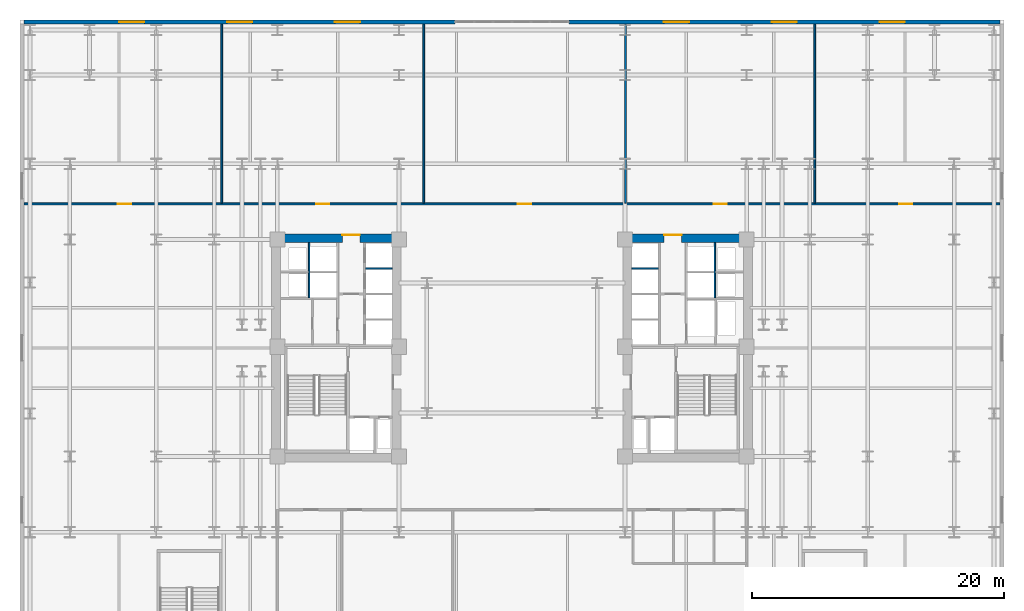
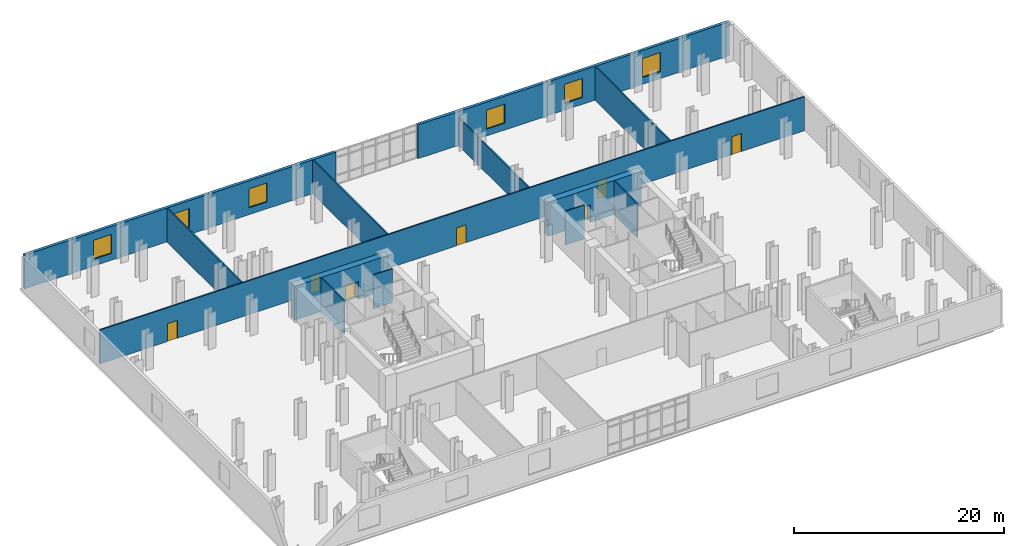
# One storey, part 10 of 13: 13 walls, 7 doors, 6 windows, 13 openings.
"""IFC4 building model written with IfcOpenShell, lengths in metres."""

from ifc_helpers import new_model, si_unit, direction, frame, frame_2d, origin, place, context, subcontext, project, spatial, rectangle, extrude, material, layer, layer_set, type_object, element, fill, save


model = new_model("IFC4")

# Units and contexts
model_context = context("Model", 3, precision=1e-05, world=origin(), true_north=direction((0.0, 1.0)))
body_context = subcontext(model_context, "Body", "Model", "MODEL_VIEW")
ifc_project = project(units=[si_unit("LENGTHUNIT", "METRE"), si_unit("AREAUNIT", "SQUARE_METRE"), si_unit("VOLUMEUNIT", "CUBIC_METRE"), si_unit("PLANEANGLEUNIT", "RADIAN"), si_unit("MASSUNIT", "GRAM", prefix="KILO")], contexts=[model_context])

# Site, building, storey
site_placement = place(None, origin())
site = spatial("IfcSite", under=ifc_project, at=site_placement, CompositionType="ELEMENT")
building_placement = place(site_placement, origin())
building = spatial("IfcBuilding", under=site, at=building_placement, Name="Velakula Bourse", CompositionType="ELEMENT")
storey_placement = place(building_placement, frame((0.0, 0.0, 18.60009765625)))
storey = spatial("IfcBuildingStorey", under=building, at=storey_placement, Name="L04", CompositionType="ELEMENT", Elevation=18.60009765625)

# Wall, opening, door
ifc_material_1 = material(Name="Concrete M70 (fck 70 MPa)", Category="concrete")
ifc_layer_1 = layer(ifc_material_1, 0.699951171875, Name="Concrete M70 (fck 70 MPa)", Category="concrete")
ifc_layer_set_1 = layer_set([ifc_layer_1], Name="Concrete M70 (fck 70 MPa)")
wall_type_1 = type_object("IfcWallType", Name="WL-CORE-700", PredefinedType="SHEAR", material=ifc_layer_set_1)
wall_1_placement = place(storey_placement, frame((-19.050048828125, 8.699951171875, 0.0), z_axis=(0.0, 0.0, 1.0), x_axis=(1.0, 0.0, 0.0)))
wall_1 = element("IfcWall", 1, at=wall_1_placement, inside=storey, type_object=wall_type_1, Name="L04 Core W Shear Wall N", PredefinedType="SHEAR", context=body_context, shape_type="SweptSolid", body=[
    extrude(rectangle(XDim=10.25, YDim=0.699951171875, at=frame_2d((5.125, 0.0))), origin(), (0.0, 0.0, 1.0), 3.949951171875),
])
opening_1_placement = place(wall_1_placement, frame((5.60009765625, 0.0, 0.0)))
opening_1 = element("IfcOpeningElement", 2, at=opening_1_placement, cuts=wall_1, Name="Opening D-LLW", PredefinedType="OPENING", context=body_context, shape_type="SweptSolid", body=[
    extrude(rectangle(XDim=1.39990234375, YDim=2.050048828125, at=frame_2d((0.699951171875, 1.02490234375))), frame((0.0, 0.35986328125, 0.0), z_axis=(0.0, -1.0, 0.0), x_axis=(1.0, 0.0, 0.0)), (0.0, 0.0, 1.0), 0.719970703125),
])
ifc_material_2 = material(Name="Fire-rated hardwood flush architectural door", Category="wood")
door_type_1 = type_object("IfcDoorType", Name="DR-DBL-FD60-1400", OperationType="DOUBLE_DOOR_SINGLE_SWING", PredefinedType="DOOR", material=ifc_material_2)
door_1_placement = place(opening_1_placement, origin())
door_1 = element("IfcDoor", 3, at=door_1_placement, inside=storey, type_object=door_type_1, Name="L04 Core W Lift Lobby Corridor Double Door", OperationType="DOUBLE_DOOR_SINGLE_SWING", OverallHeight=2.050048828125, OverallWidth=1.39990234375, PredefinedType="DOOR", context=body_context, shape_type="SweptSolid", body=[
    extrude(rectangle(XDim=1.39990234375, YDim=2.050048828125, at=frame_2d((0.699951171875, 1.02490234375))), frame((0.0, 0.294921875, 0.0), z_axis=(0.0, -1.0, 0.0), x_axis=(1.0, 0.0, 0.0)), (0.0, 0.0, 1.0), 0.050048828125),
])
fill(opening_1, door_1)

wall_2_placement = place(storey_placement, frame((8.800048828125, 8.699951171875, 0.0), z_axis=(0.0, 0.0, 1.0), x_axis=(1.0, 0.0, 0.0)))
wall_2 = element("IfcWall", 4, at=wall_2_placement, inside=storey, type_object=wall_type_1, Name="L04 Core E Shear Wall N", PredefinedType="SHEAR", context=body_context, shape_type="SweptSolid", body=[
    extrude(rectangle(XDim=10.25, YDim=0.699951171875, at=frame_2d((5.125, 0.0))), origin(), (0.0, 0.0, 1.0), 3.949951171875),
])
opening_2_placement = place(wall_2_placement, frame((3.25, 0.0, 0.0)))
opening_2 = element("IfcOpeningElement", 5, at=opening_2_placement, cuts=wall_2, Name="Opening D-LLE", PredefinedType="OPENING", context=body_context, shape_type="SweptSolid", body=[
    extrude(rectangle(XDim=1.39990234375, YDim=2.050048828125, at=frame_2d((0.699951171875, 1.02490234375))), frame((0.0, 0.35986328125, 0.0), z_axis=(0.0, -1.0, 0.0), x_axis=(1.0, 0.0, 0.0)), (0.0, 0.0, 1.0), 0.719970703125),
])
door_2_placement = place(opening_2_placement, origin())
door_2 = element("IfcDoor", 6, at=door_2_placement, inside=storey, type_object=door_type_1, Name="L04 Core E Lift Lobby Corridor Double Door", OperationType="DOUBLE_DOOR_SINGLE_SWING", OverallHeight=2.050048828125, OverallWidth=1.39990234375, PredefinedType="DOOR", context=body_context, shape_type="SweptSolid", body=[
    extrude(rectangle(XDim=1.39990234375, YDim=2.050048828125, at=frame_2d((0.699951171875, 1.02490234375))), frame((0.0, 0.294921875, 0.0), z_axis=(0.0, -1.0, 0.0), x_axis=(1.0, 0.0, 0.0)), (0.0, 0.0, 1.0), 0.050048828125),
])
fill(opening_2, door_2)

# Wall, openings, windows
ifc_material_3 = material(Name="Red kilned clay facing brick masonry", Category="masonry")
ifc_layer_2 = layer(ifc_material_3, 0.320068359375, Name="Red kilned clay facing brick masonry", Category="masonry")
ifc_layer_set_2 = layer_set([ifc_layer_2], Name="Red kilned clay facing brick masonry")
wall_type_2 = type_object("IfcWallType", Name="WL-EXT-BRK-320", PredefinedType="STANDARD", material=ifc_layer_set_2)
wall_3_placement = place(storey_placement, frame((-38.679931640625, 25.840087890625, 0.0), z_axis=(0.0, 0.0, 1.0), x_axis=(1.0, 0.0, 0.0)))
wall_3 = element("IfcWall", 7, at=wall_3_placement, inside=storey, type_object=wall_type_2, Name="L04 North Brick Facade Wall 1", PredefinedType="STANDARD", context=body_context, shape_type="SweptSolid", body=[
    extrude(rectangle(XDim=34.179931640625, YDim=0.320068359375, at=frame_2d((17.08984375, 0.0))), origin(), (0.0, 0.0, 1.0), 3.929931640625),
])
opening_3_placement = place(wall_3_placement, frame((7.544921875, 0.0, 0.800048828125)))
opening_3 = element("IfcOpeningElement", 8, at=opening_3_placement, cuts=wall_3, Name="Opening W-07", PredefinedType="OPENING", context=body_context, shape_type="SweptSolid", body=[
    extrude(rectangle(XDim=2.0, YDim=2.199951171875, at=frame_2d((1.0, 1.10009765625))), frame((0.0, 0.169921875, 0.0), z_axis=(0.0, -1.0, 0.0), x_axis=(1.0, 0.0, 0.0)), (0.0, 0.0, 1.0), 0.340087890625),
])
opening_4_placement = place(wall_3_placement, frame((16.090087890625, 0.0, 0.800048828125)))
opening_4 = element("IfcOpeningElement", 9, at=opening_4_placement, cuts=wall_3, Name="Opening W-07", PredefinedType="OPENING", context=body_context, shape_type="SweptSolid", body=[
    extrude(rectangle(XDim=2.0, YDim=2.199951171875, at=frame_2d((1.0, 1.10009765625))), frame((0.0, 0.169921875, 0.0), z_axis=(0.0, -1.0, 0.0), x_axis=(1.0, 0.0, 0.0)), (0.0, 0.0, 1.0), 0.340087890625),
])
opening_5_placement = place(wall_3_placement, frame((24.635009765625, 0.0, 0.800048828125)))
opening_5 = element("IfcOpeningElement", 10, at=opening_5_placement, cuts=wall_3, Name="Opening W-07", PredefinedType="OPENING", context=body_context, shape_type="SweptSolid", body=[
    extrude(rectangle(XDim=2.0, YDim=2.199951171875, at=frame_2d((1.0, 1.10009765625))), frame((0.0, 0.169921875, 0.0), z_axis=(0.0, -1.0, 0.0), x_axis=(1.0, 0.0, 0.0)), (0.0, 0.0, 1.0), 0.340087890625),
])
ifc_material_4 = material(Name="Double-glazed solar-control Low-E glass", Category="glass")
window_type = type_object("IfcWindowType", Name="WIN-POD-2000x2400", PartitioningType="DOUBLE_PANEL_VERTICAL", PredefinedType="WINDOW", material=ifc_material_4)
window_1_placement = place(opening_3_placement, origin())
window_1 = element("IfcWindow", 11, at=window_1_placement, inside=storey, type_object=window_type, Name="L04 Deep-Set Recessed Window 1", OverallHeight=2.199951171875, OverallWidth=2.0, PartitioningType="DOUBLE_PANEL_VERTICAL", PredefinedType="WINDOW", context=body_context, shape_type="SweptSolid", body=[
    extrude(rectangle(XDim=2.0, YDim=2.199951171875, at=frame_2d((1.0, 1.10009765625))), frame((0.0, 0.030029296875, 0.0), z_axis=(0.0, -1.0, 0.0), x_axis=(1.0, 0.0, 0.0)), (0.0, 0.0, 1.0), 0.06005859375),
])
fill(opening_3, window_1)
window_2_placement = place(opening_4_placement, origin())
window_2 = element("IfcWindow", 12, at=window_2_placement, inside=storey, type_object=window_type, Name="L04 Deep-Set Recessed Window 2", OverallHeight=2.199951171875, OverallWidth=2.0, PartitioningType="DOUBLE_PANEL_VERTICAL", PredefinedType="WINDOW", context=body_context, shape_type="SweptSolid", body=[
    extrude(rectangle(XDim=2.0, YDim=2.199951171875, at=frame_2d((1.0, 1.10009765625))), frame((0.0, 0.030029296875, 0.0), z_axis=(0.0, -1.0, 0.0), x_axis=(1.0, 0.0, 0.0)), (0.0, 0.0, 1.0), 0.06005859375),
])
fill(opening_4, window_2)
window_3_placement = place(opening_5_placement, origin())
window_3 = element("IfcWindow", 13, at=window_3_placement, inside=storey, type_object=window_type, Name="L04 Deep-Set Recessed Window 3", OverallHeight=2.199951171875, OverallWidth=2.0, PartitioningType="DOUBLE_PANEL_VERTICAL", PredefinedType="WINDOW", context=body_context, shape_type="SweptSolid", body=[
    extrude(rectangle(XDim=2.0, YDim=2.199951171875, at=frame_2d((1.0, 1.10009765625))), frame((0.0, 0.030029296875, 0.0), z_axis=(0.0, -1.0, 0.0), x_axis=(1.0, 0.0, 0.0)), (0.0, 0.0, 1.0), 0.06005859375),
])
fill(opening_5, window_3)

wall_4_placement = place(storey_placement, frame((4.5, 25.840087890625, 0.0), z_axis=(0.0, 0.0, 1.0), x_axis=(1.0, 0.0, 0.0)))
wall_4 = element("IfcWall", 14, at=wall_4_placement, inside=storey, type_object=wall_type_2, Name="L04 North Brick Facade Wall 3", PredefinedType="STANDARD", context=body_context, shape_type="SweptSolid", body=[
    extrude(rectangle(XDim=34.179931640625, YDim=0.320068359375, at=frame_2d((17.08984375, 0.0))), origin(), (0.0, 0.0, 1.0), 3.929931640625),
])
opening_6_placement = place(wall_4_placement, frame((7.544921875, 0.0, 0.800048828125)))
opening_6 = element("IfcOpeningElement", 15, at=opening_6_placement, cuts=wall_4, Name="Opening W-07", PredefinedType="OPENING", context=body_context, shape_type="SweptSolid", body=[
    extrude(rectangle(XDim=2.0, YDim=2.199951171875, at=frame_2d((1.0, 1.10009765625))), frame((0.0, 0.169921875, 0.0), z_axis=(0.0, -1.0, 0.0), x_axis=(1.0, 0.0, 0.0)), (0.0, 0.0, 1.0), 0.340087890625),
])
opening_7_placement = place(wall_4_placement, frame((16.090087890625, 0.0, 0.800048828125)))
opening_7 = element("IfcOpeningElement", 16, at=opening_7_placement, cuts=wall_4, Name="Opening W-07", PredefinedType="OPENING", context=body_context, shape_type="SweptSolid", body=[
    extrude(rectangle(XDim=2.0, YDim=2.199951171875, at=frame_2d((1.0, 1.10009765625))), frame((0.0, 0.169921875, 0.0), z_axis=(0.0, -1.0, 0.0), x_axis=(1.0, 0.0, 0.0)), (0.0, 0.0, 1.0), 0.340087890625),
])
opening_8_placement = place(wall_4_placement, frame((24.635009765625, 0.0, 0.800048828125)))
opening_8 = element("IfcOpeningElement", 17, at=opening_8_placement, cuts=wall_4, Name="Opening W-07", PredefinedType="OPENING", context=body_context, shape_type="SweptSolid", body=[
    extrude(rectangle(XDim=2.0, YDim=2.199951171875, at=frame_2d((1.0, 1.10009765625))), frame((0.0, 0.169921875, 0.0), z_axis=(0.0, -1.0, 0.0), x_axis=(1.0, 0.0, 0.0)), (0.0, 0.0, 1.0), 0.340087890625),
])
window_4_placement = place(opening_6_placement, origin())
window_4 = element("IfcWindow", 18, at=window_4_placement, inside=storey, type_object=window_type, Name="L04 Deep-Set Recessed Window 1", OverallHeight=2.199951171875, OverallWidth=2.0, PartitioningType="DOUBLE_PANEL_VERTICAL", PredefinedType="WINDOW", context=body_context, shape_type="SweptSolid", body=[
    extrude(rectangle(XDim=2.0, YDim=2.199951171875, at=frame_2d((1.0, 1.10009765625))), frame((0.0, 0.030029296875, 0.0), z_axis=(0.0, -1.0, 0.0), x_axis=(1.0, 0.0, 0.0)), (0.0, 0.0, 1.0), 0.06005859375),
])
fill(opening_6, window_4)
window_5_placement = place(opening_7_placement, origin())
window_5 = element("IfcWindow", 19, at=window_5_placement, inside=storey, type_object=window_type, Name="L04 Deep-Set Recessed Window 2", OverallHeight=2.199951171875, OverallWidth=2.0, PartitioningType="DOUBLE_PANEL_VERTICAL", PredefinedType="WINDOW", context=body_context, shape_type="SweptSolid", body=[
    extrude(rectangle(XDim=2.0, YDim=2.199951171875, at=frame_2d((1.0, 1.10009765625))), frame((0.0, 0.030029296875, 0.0), z_axis=(0.0, -1.0, 0.0), x_axis=(1.0, 0.0, 0.0)), (0.0, 0.0, 1.0), 0.06005859375),
])
fill(opening_7, window_5)
window_6_placement = place(opening_8_placement, origin())
window_6 = element("IfcWindow", 20, at=window_6_placement, inside=storey, type_object=window_type, Name="L04 Deep-Set Recessed Window 3", OverallHeight=2.199951171875, OverallWidth=2.0, PartitioningType="DOUBLE_PANEL_VERTICAL", PredefinedType="WINDOW", context=body_context, shape_type="SweptSolid", body=[
    extrude(rectangle(XDim=2.0, YDim=2.199951171875, at=frame_2d((1.0, 1.10009765625))), frame((0.0, 0.030029296875, 0.0), z_axis=(0.0, -1.0, 0.0), x_axis=(1.0, 0.0, 0.0)), (0.0, 0.0, 1.0), 0.06005859375),
])
fill(opening_8, window_6)

# Walls
ifc_material_5 = material(Name="Fire-rated double-layer gypsum drywall partition", Category="gypsum")
ifc_layer_3 = layer(ifc_material_5, 0.1201171875, Name="Fire-rated double-layer gypsum drywall partition", Category="gypsum")
ifc_layer_set_3 = layer_set([ifc_layer_3], Name="Fire-rated double-layer gypsum drywall partition")
wall_type_3 = type_object("IfcWallType", Name="WL-PART-120", PredefinedType="STANDARD", material=ifc_layer_set_3)
wall_5_placement = place(storey_placement, frame((-11.60009765625, 6.31494140625, 0.0), z_axis=(0.0, 0.0, 1.0), x_axis=(1.0, 0.0, 0.0)))
element("IfcWall", 21, at=wall_5_placement, inside=storey, type_object=wall_type_3, Name="L04 Interior Partition WL-CRW-L04-BDIV-2", PredefinedType="STANDARD", context=body_context, shape_type="SweptSolid", body=[
    extrude(rectangle(XDim=2.10009765625, YDim=0.110107421875, at=frame_2d((1.050048828125, 0.0))), origin(), (0.0, 0.0, 1.0), 3.929931640625),
])
wall_6_placement = place(storey_placement, frame((-16.074951171875, 3.97998046875, 0.0), z_axis=(0.0, 0.0, 1.0), x_axis=(0.0, 1.0, 0.0)))
element("IfcWall", 22, at=wall_6_placement, inside=storey, type_object=wall_type_3, Name="L04 Interior Partition WL-CRW-L04-RIS-F", PredefinedType="STANDARD", context=body_context, shape_type="SweptSolid", body=[
    extrude(rectangle(XDim=4.3701171875, YDim=0.1201171875, at=frame_2d((2.18505859375, 0.0))), origin(), (0.0, 0.0, 1.0), 3.929931640625),
])
wall_7_placement = place(storey_placement, frame((9.5, 6.31494140625, 0.0), z_axis=(0.0, 0.0, 1.0), x_axis=(1.0, 0.0, 0.0)))
element("IfcWall", 23, at=wall_7_placement, inside=storey, type_object=wall_type_3, Name="L04 Interior Partition WL-CRE-L04-BDIV-2", PredefinedType="STANDARD", context=body_context, shape_type="SweptSolid", body=[
    extrude(rectangle(XDim=2.10009765625, YDim=0.110107421875, at=frame_2d((1.050048828125, 0.0))), origin(), (0.0, 0.0, 1.0), 3.929931640625),
])
wall_8_placement = place(storey_placement, frame((16.074951171875, 3.97998046875, 0.0), z_axis=(0.0, 0.0, 1.0), x_axis=(0.0, 1.0, 0.0)))
element("IfcWall", 24, at=wall_8_placement, inside=storey, type_object=wall_type_3, Name="L04 Interior Partition WL-CRE-L04-RIS-F", PredefinedType="STANDARD", context=body_context, shape_type="SweptSolid", body=[
    extrude(rectangle(XDim=4.3701171875, YDim=0.1201171875, at=frame_2d((2.18505859375, 0.0))), origin(), (0.0, 0.0, 1.0), 3.929931640625),
])

# Wall, openings, doors
ifc_layer_4 = layer(ifc_material_5, 0.139892578125, Name="Fire-rated double-layer gypsum drywall partition", Category="gypsum")
ifc_layer_set_4 = layer_set([ifc_layer_4], Name="Fire-rated double-layer gypsum drywall partition")
wall_type_4 = type_object("IfcWallType", Name="WL-PART-140", PredefinedType="STANDARD", material=ifc_layer_set_4)
wall_9_placement = place(storey_placement, frame((-38.679931640625, 11.419921875, 0.0), z_axis=(0.0, 0.0, 1.0), x_axis=(1.0, 0.0, 0.0)))
wall_9 = element("IfcWall", 25, at=wall_9_placement, inside=storey, type_object=wall_type_4, Name="L04 Interior Partition WL-POD-L04-N-CORR", PredefinedType="STANDARD", context=body_context, shape_type="SweptSolid", body=[
    extrude(rectangle(XDim=77.35986328125, YDim=0.14990234375, at=frame_2d((38.679931640625, 0.0))), origin(), (0.0, 0.0, 1.0), 3.929931640625),
])
opening_9_placement = place(wall_9_placement, frame((7.43603515625, 0.0, 0.0)))
opening_9 = element("IfcOpeningElement", 26, at=opening_9_placement, cuts=wall_9, Name="Opening D-PD1", PredefinedType="OPENING", context=body_context, shape_type="SweptSolid", body=[
    extrude(rectangle(XDim=1.050048828125, YDim=2.080078125, at=frame_2d((0.52490234375, 1.0400390625))), frame((0.0, 0.0849609375, 0.0), z_axis=(0.0, -1.0, 0.0), x_axis=(1.0, 0.0, 0.0)), (0.0, 0.0, 1.0), 0.169921875),
])
opening_10_placement = place(wall_9_placement, frame((23.155029296875, 0.0, 0.0)))
opening_10 = element("IfcOpeningElement", 27, at=opening_10_placement, cuts=wall_9, Name="Opening D-PD1", PredefinedType="OPENING", context=body_context, shape_type="SweptSolid", body=[
    extrude(rectangle(XDim=1.050048828125, YDim=2.080078125, at=frame_2d((0.52490234375, 1.0400390625))), frame((0.0, 0.0849609375, 0.0), z_axis=(0.0, -1.0, 0.0), x_axis=(1.0, 0.0, 0.0)), (0.0, 0.0, 1.0), 0.169921875),
])
opening_11_placement = place(wall_9_placement, frame((39.155029296875, 0.0, 0.0)))
opening_11 = element("IfcOpeningElement", 28, at=opening_11_placement, cuts=wall_9, Name="Opening D-PD1", PredefinedType="OPENING", context=body_context, shape_type="SweptSolid", body=[
    extrude(rectangle(XDim=1.050048828125, YDim=2.080078125, at=frame_2d((0.52490234375, 1.0400390625))), frame((0.0, 0.0849609375, 0.0), z_axis=(0.0, -1.0, 0.0), x_axis=(1.0, 0.0, 0.0)), (0.0, 0.0, 1.0), 0.169921875),
])
opening_12_placement = place(wall_9_placement, frame((54.655029296875, 0.0, 0.0)))
opening_12 = element("IfcOpeningElement", 29, at=opening_12_placement, cuts=wall_9, Name="Opening D-PD1", PredefinedType="OPENING", context=body_context, shape_type="SweptSolid", body=[
    extrude(rectangle(XDim=1.050048828125, YDim=2.080078125, at=frame_2d((0.52490234375, 1.0400390625))), frame((0.0, 0.0849609375, 0.0), z_axis=(0.0, -1.0, 0.0), x_axis=(1.0, 0.0, 0.0)), (0.0, 0.0, 1.0), 0.169921875),
])
opening_13_placement = place(wall_9_placement, frame((69.3740234375, 0.0, 0.0)))
opening_13 = element("IfcOpeningElement", 30, at=opening_13_placement, cuts=wall_9, Name="Opening D-PD1", PredefinedType="OPENING", context=body_context, shape_type="SweptSolid", body=[
    extrude(rectangle(XDim=1.050048828125, YDim=2.080078125, at=frame_2d((0.52490234375, 1.0400390625))), frame((0.0, 0.0849609375, 0.0), z_axis=(0.0, -1.0, 0.0), x_axis=(1.0, 0.0, 0.0)), (0.0, 0.0, 1.0), 0.169921875),
])
door_type_2 = type_object("IfcDoorType", Name="DR-OFF-1050", OperationType="NOTDEFINED", PredefinedType="DOOR", material=ifc_material_2)
door_3_placement = place(opening_9_placement, origin())
door_3 = element("IfcDoor", 31, at=door_3_placement, inside=storey, type_object=door_type_2, Name="L04 Clearing Settlement Conference Room A Door", OperationType="SINGLE_SWING_LEFT", OverallHeight=2.080078125, OverallWidth=1.050048828125, PredefinedType="DOOR", context=body_context, shape_type="SweptSolid", body=[
    extrude(rectangle(XDim=1.050048828125, YDim=2.080078125, at=frame_2d((0.52490234375, 1.0400390625))), frame((0.0, 0.02490234375, 0.0), z_axis=(0.0, -1.0, 0.0), x_axis=(1.0, 0.0, 0.0)), (0.0, 0.0, 1.0), 0.050048828125),
])
fill(opening_9, door_3)
door_4_placement = place(opening_10_placement, origin())
door_4 = element("IfcDoor", 32, at=door_4_placement, inside=storey, type_object=door_type_2, Name="L04 Clearing Conference Room B Door", OperationType="SINGLE_SWING_RIGHT", OverallHeight=2.080078125, OverallWidth=1.050048828125, PredefinedType="DOOR", context=body_context, shape_type="SweptSolid", body=[
    extrude(rectangle(XDim=1.050048828125, YDim=2.080078125, at=frame_2d((0.52490234375, 1.0400390625))), frame((0.0, 0.02490234375, 0.0), z_axis=(0.0, -1.0, 0.0), x_axis=(1.0, 0.0, 0.0)), (0.0, 0.0, 1.0), 0.050048828125),
])
fill(opening_10, door_4)
door_5_placement = place(opening_11_placement, origin())
door_5 = element("IfcDoor", 33, at=door_5_placement, inside=storey, type_object=door_type_2, Name="L04 Executive Boardroom C Door", OperationType="SINGLE_SWING_LEFT", OverallHeight=2.080078125, OverallWidth=1.050048828125, PredefinedType="DOOR", context=body_context, shape_type="SweptSolid", body=[
    extrude(rectangle(XDim=1.050048828125, YDim=2.080078125, at=frame_2d((0.52490234375, 1.0400390625))), frame((0.0, 0.02490234375, 0.0), z_axis=(0.0, -1.0, 0.0), x_axis=(1.0, 0.0, 0.0)), (0.0, 0.0, 1.0), 0.050048828125),
])
fill(opening_11, door_5)
door_6_placement = place(opening_12_placement, origin())
door_6 = element("IfcDoor", 34, at=door_6_placement, inside=storey, type_object=door_type_2, Name="L04 Pre-Function Dining Lounge Door", OperationType="SINGLE_SWING_RIGHT", OverallHeight=2.080078125, OverallWidth=1.050048828125, PredefinedType="DOOR", context=body_context, shape_type="SweptSolid", body=[
    extrude(rectangle(XDim=1.050048828125, YDim=2.080078125, at=frame_2d((0.52490234375, 1.0400390625))), frame((0.0, 0.02490234375, 0.0), z_axis=(0.0, -1.0, 0.0), x_axis=(1.0, 0.0, 0.0)), (0.0, 0.0, 1.0), 0.050048828125),
])
fill(opening_12, door_6)
door_7_placement = place(opening_13_placement, origin())
door_7 = element("IfcDoor", 35, at=door_7_placement, inside=storey, type_object=door_type_2, Name="L04 Catering Pantry Door", OperationType="SINGLE_SWING_LEFT", OverallHeight=2.080078125, OverallWidth=1.050048828125, PredefinedType="DOOR", context=body_context, shape_type="SweptSolid", body=[
    extrude(rectangle(XDim=1.050048828125, YDim=2.080078125, at=frame_2d((0.52490234375, 1.0400390625))), frame((0.0, 0.02490234375, 0.0), z_axis=(0.0, -1.0, 0.0), x_axis=(1.0, 0.0, 0.0)), (0.0, 0.0, 1.0), 0.050048828125),
])
fill(opening_13, door_7)

# Walls
for number, where, z_axis, x_axis, name in (
    (36, (-23.0, 11.489990234375, 0.0), (0.0, 0.0, 1.0), (0.0, 1.0, 0.0), "L04 Interior Partition WL-POD-L04-ND1"),
    (37, (-7.0, 11.489990234375, 0.0), (0.0, 0.0, 1.0), (0.0, 1.0, 0.0), "L04 Interior Partition WL-POD-L04-ND2"),
):
    element("IfcWall", number, at=place(storey_placement, frame(where, z_axis=z_axis, x_axis=x_axis)), inside=storey, type_object=wall_type_4, Name=name, PredefinedType="STANDARD", context=body_context, shape_type="SweptSolid", body=[
        extrude(rectangle(XDim=14.18994140625, YDim=0.139892578125, at=frame_2d((7.094970703125, 0.0))), origin(), (0.0, 0.0, 1.0), 3.929931640625),
    ])
wall_10_placement = place(storey_placement, frame((9.0, 11.489990234375, 0.0), z_axis=(0.0, 0.0, 1.0), x_axis=(0.0, 1.0, 0.0)))
element("IfcWall", 38, at=wall_10_placement, inside=storey, type_object=wall_type_4, Name="L04 Interior Partition WL-POD-L04-ND3", PredefinedType="STANDARD", context=body_context, shape_type="SweptSolid", body=[
    extrude(rectangle(XDim=14.18994140625, YDim=0.139892578125, at=frame_2d((7.094970703125, 0.0))), origin(), (0.0, 0.0, 1.0), 3.224853515625),
])
wall_11_placement = place(storey_placement, frame((24.0, 11.489990234375, 0.0), z_axis=(0.0, 0.0, 1.0), x_axis=(0.0, 1.0, 0.0)))
element("IfcWall", 39, at=wall_11_placement, inside=storey, type_object=wall_type_4, Name="L04 Interior Partition WL-POD-L04-ND4", PredefinedType="STANDARD", context=body_context, shape_type="SweptSolid", body=[
    extrude(rectangle(XDim=14.18994140625, YDim=0.139892578125, at=frame_2d((7.094970703125, 0.0))), origin(), (0.0, 0.0, 1.0), 3.929931640625),
])

save(model, "model.ifc")
